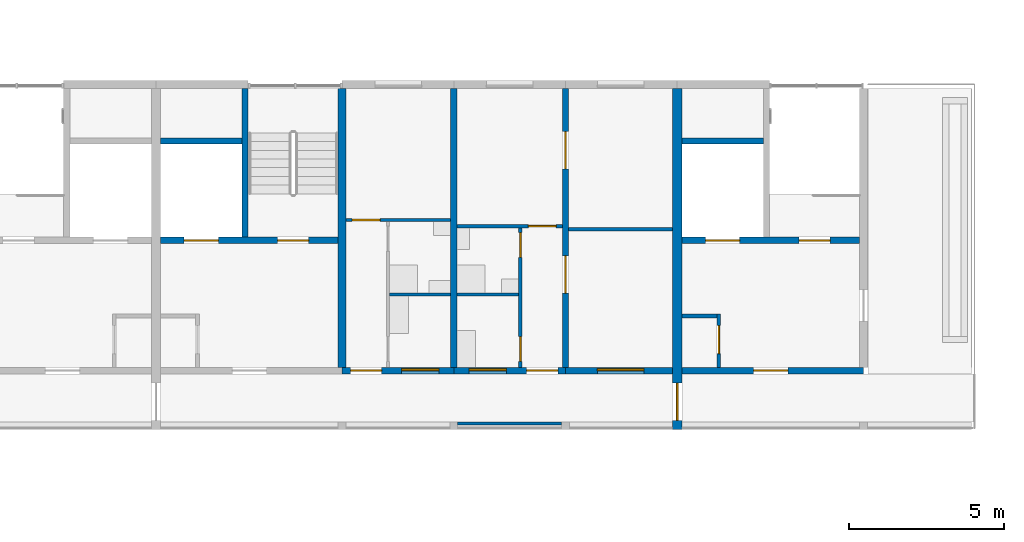
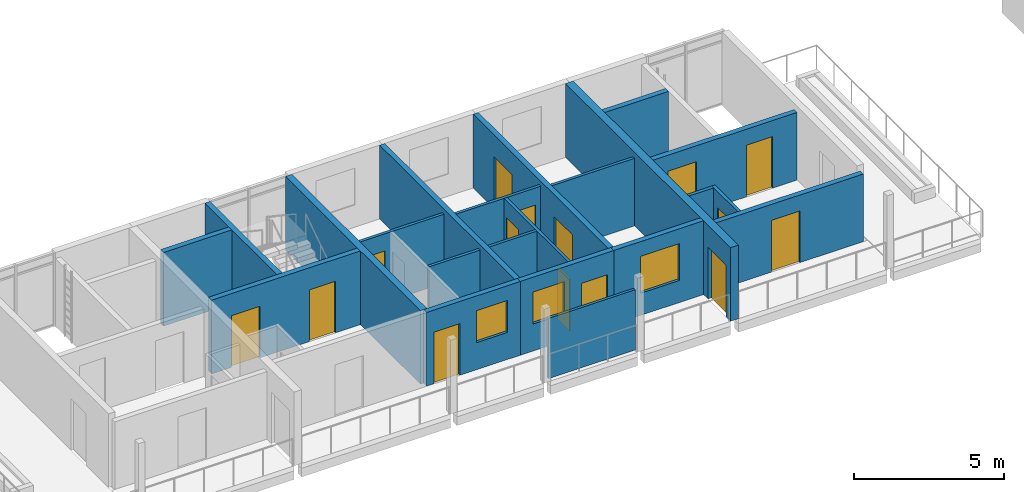
# One storey, part 53 of 87: 22 walls, 15 doors, 3 windows, 18 openings.
"""IFC4 building model written with IfcOpenShell, lengths in metres."""

import ifcopenshell
import ifcopenshell.guid

model = None  # the IFC model being written
_history = None  # IfcOwnerHistory: only IFC2X3 demands one
_inside = {}  # id of a spatial element -> (the spatial element, [elements in it])
_under = {}  # id of a project, library or spatial element -> (it, [spatial elements below it])
_declared = {}  # id of a project -> (the project, [libraries it declares])
_typed = {}  # id of a type object -> (the type object, [elements of that type])
_made_of = {}  # id of a material, layer set ... -> (it, [elements and type objects made of it])


def new_model(schema):
    """Start an empty IFC model of exactly this schema.

    Asked for "IFC4X3", IfcOpenShell would pick the latest addendum, in which some entities
    have other attributes; the version numbers below select the first issue.
    IFC2X3 requires an IfcOwnerHistory on every rooted entity: one is made here for all.
    """
    global model, _history
    if schema == "IFC4X3":
        model = ifcopenshell.file(schema_version=(4, 3, 0, 0))
    else:
        model = ifcopenshell.file(schema=schema)
    _inside.clear()
    _under.clear()
    _declared.clear()
    _typed.clear()
    _made_of.clear()
    _history = None
    if model.schema == "IFC2X3":
        org = make("IfcOrganization", Name="unknown")
        user = make(
            "IfcPersonAndOrganization",
            ThePerson=make("IfcPerson", FamilyName="unknown"),
            TheOrganization=org,
        )
        app = make(
            "IfcApplication",
            ApplicationDeveloper=org,
            Version="unknown",
            ApplicationFullName="unknown",
            ApplicationIdentifier="unknown",
        )
        _history = make(
            "IfcOwnerHistory",
            OwningUser=user,
            OwningApplication=app,
            ChangeAction="ADDED",
            CreationDate=0,
        )
    return model


def make(cls, **values):
    """One entity of the class cls with the attributes given. An attribute that is None is left unset."""
    return model.create_entity(
        cls, **{name: value for name, value in values.items() if value is not None}
    )


def rooted(cls, **values):
    """An entity with a GlobalId (a new one), such as an element, a storey or a relation."""
    return make(cls, GlobalId=ifcopenshell.guid.new(), OwnerHistory=_history, **values)


def si_unit(unit_type, name, prefix=None):
    """IfcSIUnit, for example si_unit("LENGTHUNIT", "METRE", prefix="MILLI")."""
    return make("IfcSIUnit", UnitType=unit_type, Prefix=prefix, Name=name)


def assignment(units):
    """IfcUnitAssignment: the units of a project."""
    return None if units is None else make("IfcUnitAssignment", Units=units)


def point(xyz):
    """IfcCartesianPoint."""
    return None if xyz is None else make("IfcCartesianPoint", Coordinates=xyz)


def direction(xyz):
    """IfcDirection."""
    return None if xyz is None else make("IfcDirection", DirectionRatios=xyz)


def frame(location, z_axis=None, x_axis=None):
    """IfcAxis2Placement3D, a coordinate frame: its origin and axes. An axis left out is left unset."""
    return make(
        "IfcAxis2Placement3D",
        Location=point(location),
        Axis=direction(z_axis),
        RefDirection=direction(x_axis),
    )


def frame_2d(location, x_axis=None):
    """IfcAxis2Placement2D, a coordinate frame in the plane: its origin and x axis."""
    return make(
        "IfcAxis2Placement2D", Location=point(location), RefDirection=direction(x_axis)
    )


def origin():
    """The frame at (0, 0, 0) with its axes left unset."""
    return frame((0.0, 0.0, 0.0))


def place(relative_to, where):
    """IfcLocalPlacement: puts the frame where relative to a parent placement (None: the world)."""
    return make(
        "IfcLocalPlacement", PlacementRelTo=relative_to, RelativePlacement=where
    )


def context(
    kind, dimensions, precision=None, world=None, true_north=None, identifier=None
):
    """IfcGeometricRepresentationContext, for example the 3D "Model" context."""
    return make(
        "IfcGeometricRepresentationContext",
        ContextIdentifier=identifier,
        ContextType=kind,
        CoordinateSpaceDimension=dimensions,
        Precision=precision,
        WorldCoordinateSystem=world,
        TrueNorth=true_north,
    )


def subcontext(parent, identifier, kind, view, scale=None):
    """IfcGeometricRepresentationSubContext, for example "Body" below "Model"."""
    return make(
        "IfcGeometricRepresentationSubContext",
        ContextIdentifier=identifier,
        ContextType=kind,
        ParentContext=parent,
        TargetScale=scale,
        TargetView=view,
    )


def project(units=None, contexts=None):
    """IfcProject with its units and contexts."""
    return rooted(
        "IfcProject",
        Name="project",
        RepresentationContexts=contexts,
        UnitsInContext=assignment(units),
    )


def spatial(cls, under=None, at=None, **own):
    """A site, building, storey or space (cls), placed at a placement, below another one or the project."""
    s = rooted(cls, ObjectPlacement=at, **own)
    if under is not None:
        _under.setdefault(under.id(), (under, []))[1].append(s)
    return s


def profile(cls, at=None, kind="AREA", **sizes):
    """A parametric profile (cls). Its sizes go by their IFC names, for example OverallWidth=200.0."""
    return make(cls, ProfileType=kind, Position=at, **sizes)


def rectangle(**sizes):
    """IfcRectangleProfileDef."""
    return profile("IfcRectangleProfileDef", **sizes)


def extrude(swept, where, along, depth):
    """IfcExtrudedAreaSolid: the profile swept, set in the frame where, extruded along a direction by depth."""
    return make(
        "IfcExtrudedAreaSolid",
        SweptArea=swept,
        Position=where,
        ExtrudedDirection=direction(along),
        Depth=depth,
    )


def shape(context_of_items, identifier, shape_type, items):
    """IfcShapeRepresentation: the items that make up one representation, for example the "Body"."""
    return make(
        "IfcShapeRepresentation",
        ContextOfItems=context_of_items,
        RepresentationIdentifier=identifier,
        RepresentationType=shape_type,
        Items=items,
    )


def material(Name=None, Category=None):
    """IfcMaterial."""
    return make("IfcMaterial", Name=Name, Category=Category)


def layer(
    of_material, thickness, ventilated=None, Name=None, Category=None, Priority=None
):
    """IfcMaterialLayer: one layer of a wall or slab, of a material (None: an air gap)."""
    return make(
        "IfcMaterialLayer",
        Material=of_material,
        LayerThickness=thickness,
        IsVentilated=ventilated,
        Name=Name,
        Category=Category,
        Priority=Priority,
    )


def layer_set(layers, Name=None):
    """IfcMaterialLayerSet."""
    return make("IfcMaterialLayerSet", MaterialLayers=layers, LayerSetName=Name)


def made_of(thing, what):
    """Note that an element or type object is made of a material, layer set ...; save() writes the relation."""
    if what is not None:
        _made_of.setdefault(what.id(), (what, []))[1].append(thing)
    return thing


def type_object(cls, material=None, **own):
    """A type object (cls), such as IfcWallType, which elements share."""
    return made_of(rooted(cls, **own), material)


def element(
    cls,
    number,
    at=None,
    inside=None,
    cuts=None,
    type_object=None,
    material=None,
    context=None,
    identifier="Body",
    shape_type=None,
    held_by="IfcProductDefinitionShape",
    body=None,
    shapes=None,
    **own,
):
    """One element of the class cls, such as IfcWall. Its Tag is "e" and its number.

    at: its placement. inside: the storey or other place that contains it. cuts: it is an
    opening in that element (IfcRelVoidsElement). A single representation is given by context,
    identifier, shape_type and body (its items); several are given by shapes. held_by: the class
    of the entity that holds the representations. save() writes the other relations.
    """
    e = rooted(cls, Tag="e%d" % number, ObjectPlacement=at, **own)
    if body is not None:
        shapes = [shape(context, identifier, shape_type, body)]
    if shapes is not None:
        e.Representation = make(held_by, Representations=shapes)
    if inside is not None:
        _inside.setdefault(inside.id(), (inside, []))[1].append(e)
    if cuts is not None:
        rooted(
            "IfcRelVoidsElement", RelatingBuildingElement=cuts, RelatedOpeningElement=e
        )
    if type_object is not None:
        _typed.setdefault(type_object.id(), (type_object, []))[1].append(e)
    return made_of(e, material)


def fill(opening, filler):
    """IfcRelFillsElement: the door or window that sits in an opening."""
    return rooted(
        "IfcRelFillsElement",
        RelatingOpeningElement=opening,
        RelatedBuildingElement=filler,
    )


def aggregate(whole, parts):
    """IfcRelAggregates: a whole, such as a stair, and the parts it consists of."""
    return rooted("IfcRelAggregates", RelatingObject=whole, RelatedObjects=parts)


def save(model, path):
    """Write the relations noted so far, then the file.

    IfcRelAggregates (storeys below a building ...), IfcRelContainedInSpatialStructure (elements
    in a storey), IfcRelDefinesByType, IfcRelAssociatesMaterial and IfcRelDeclares: one each for
    every whole, place, type object, material and project.
    """
    for whole, parts in _under.values():
        aggregate(whole, parts)
    for where, things in _inside.values():
        rooted(
            "IfcRelContainedInSpatialStructure",
            RelatedElements=things,
            RelatingStructure=where,
        )
    for kind, things in _typed.values():
        rooted("IfcRelDefinesByType", RelatedObjects=things, RelatingType=kind)
    for what, things in _made_of.values():
        rooted("IfcRelAssociatesMaterial", RelatedObjects=things, RelatingMaterial=what)
    for by, libraries in _declared.values():
        rooted("IfcRelDeclares", RelatingContext=by, RelatedDefinitions=libraries)
    model.write(path)


model = new_model("IFC4")

# Units and contexts
model_context = context("Model", 3, precision=1e-05, world=origin(), true_north=direction((0.0, 1.0)))
body_context = subcontext(model_context, "Body", "Model", "MODEL_VIEW")
ifc_project = project(units=[si_unit("LENGTHUNIT", "METRE"), si_unit("AREAUNIT", "SQUARE_METRE"), si_unit("VOLUMEUNIT", "CUBIC_METRE"), si_unit("PLANEANGLEUNIT", "RADIAN"), si_unit("MASSUNIT", "GRAM", prefix="KILO")], contexts=[model_context])

# Site, building, storey
site_placement = place(None, origin())
site = spatial("IfcSite", under=ifc_project, at=site_placement, CompositionType="ELEMENT")
building_placement = place(site_placement, origin())
building = spatial("IfcBuilding", under=site, at=building_placement, Name="Ridgestep Commons", CompositionType="ELEMENT")
storey_placement = place(building_placement, frame((0.0, 0.0, 27.0)))
storey = spatial("IfcBuildingStorey", under=building, at=storey_placement, Name="L09", CompositionType="ELEMENT", Elevation=27.0)

# Wall
ifc_material_1 = material(Name="Concrete C30/37", Category="concrete")
ifc_layer_1 = layer(ifc_material_1, 0.25)
ifc_layer_set_1 = layer_set([ifc_layer_1], Name="Core cross wall 250")
wall_type_1 = type_object("IfcWallType", Name="Core cross wall 250", PredefinedType="SHEAR", material=ifc_layer_set_1)
wall_1_placement = place(storey_placement, frame((186.39990234375, 68.0, 0.0), z_axis=(0.0, 0.0, 1.0), x_axis=(0.0, 1.0, 0.0)))
element("IfcWall", 1, at=wall_1_placement, inside=storey, type_object=wall_type_1, Name="Cross wall C-09-1864", PredefinedType="SHEAR", context=body_context, shape_type="SweptSolid", body=[
    extrude(rectangle(XDim=9.0, YDim=0.25, at=frame_2d((4.5, 0.0))), origin(), (0.0, 0.0, 1.0), 3.0),
])

# Wall, opening, door
ifc_material_2 = material(Name="Concrete C30/37", Category="concrete")
ifc_layer_2 = layer(ifc_material_2, 0.199951171875)
ifc_layer_set_2 = layer_set([ifc_layer_2], Name="Core south wall 200")
wall_type_2 = type_object("IfcWallType", Name="Core south wall 200", PredefinedType="SHEAR", material=ifc_layer_set_2)
wall_2_placement = place(storey_placement, frame((197.35009765625, 67.89990234375, 0.0), z_axis=(0.0, 0.0, 1.0), x_axis=(1.0, 0.0, 0.0)))
wall_2 = element("IfcWall", 2, at=wall_2_placement, inside=storey, type_object=wall_type_2, Name="Core south wall C4C L09", PredefinedType="SHEAR", context=body_context, shape_type="SweptSolid", body=[
    extrude(rectangle(XDim=5.849853515625, YDim=0.199951171875, at=frame_2d((2.9248046875, 0.0))), origin(), (0.0, 0.0, 1.0), 2.75),
])
opening_1_placement = place(wall_2_placement, frame((2.3125, 0.0, 0.0)))
opening_1 = element("IfcOpeningElement", 3, at=opening_1_placement, cuts=wall_2, Name="Opening C4C/09/1", PredefinedType="OPENING", context=body_context, shape_type="SweptSolid", body=[
    extrude(rectangle(XDim=1.10009765625, YDim=2.10009765625, at=frame_2d((0.550048828125, 1.050048828125))), frame((0.0, 0.10986328125, 0.0), z_axis=(0.0, -1.0, 0.0), x_axis=(1.0, 0.0, 0.0)), (0.0, 0.0, 1.0), 0.219970703125),
])
ifc_material_3 = material(Name="Steel fire door", Category="steel")
door_type_1 = type_object("IfcDoorType", Name="Lobby door 1100 x 2100 FD60", OperationType="NOTDEFINED", PredefinedType="DOOR", material=ifc_material_3)
door_1_placement = place(opening_1_placement, origin())
door_1 = element("IfcDoor", 4, at=door_1_placement, inside=storey, type_object=door_type_1, Name="Lobby door C4C/09/1", OperationType="SINGLE_SWING_LEFT", OverallHeight=2.10009765625, OverallWidth=1.10009765625, PredefinedType="DOOR", context=body_context, shape_type="SweptSolid", body=[
    extrude(rectangle(XDim=1.10009765625, YDim=2.10009765625, at=frame_2d((0.550048828125, 1.050048828125))), frame((0.0, 0.02490234375, 0.0), z_axis=(0.0, -1.0, 0.0), x_axis=(1.0, 0.0, 0.0)), (0.0, 0.0, 1.0), 0.050048828125),
])
fill(opening_1, door_1)

ifc_material_4 = material(Name="Concrete C30/37", Category="concrete")
ifc_layer_3 = layer(ifc_material_4, 0.1201171875)
ifc_layer_set_3 = layer_set([ifc_layer_3], Name="Core wall 120")
wall_type_3 = type_object("IfcWallType", Name="Core wall 120", PredefinedType="SHEAR", material=ifc_layer_set_3)
wall_3_placement = place(storey_placement, frame((198.5400390625, 68.0, 0.0), z_axis=(0.0, 0.0, 1.0), x_axis=(0.0, 1.0, 0.0)))
wall_3 = element("IfcWall", 5, at=wall_3_placement, inside=storey, type_object=wall_type_3, Name="Core riser w wall C4C L09", PredefinedType="SHEAR", context=body_context, shape_type="SweptSolid", body=[
    extrude(rectangle(XDim=1.719970703125, YDim=0.1201171875, at=frame_2d((0.85986328125, 0.0))), origin(), (0.0, 0.0, 1.0), 2.75),
])
opening_2_placement = place(wall_3_placement, frame((0.449951171875, 0.0, 0.0)))
opening_2 = element("IfcOpeningElement", 6, at=opening_2_placement, cuts=wall_3, Name="Opening C4C/09/4", PredefinedType="OPENING", context=body_context, shape_type="SweptSolid", body=[
    extrude(rectangle(XDim=0.89990234375, YDim=2.10009765625, at=frame_2d((0.449951171875, 1.050048828125))), frame((0.0, 0.070068359375, 0.0), z_axis=(0.0, -1.0, 0.0), x_axis=(1.0, 0.0, 0.0)), (0.0, 0.0, 1.0), 0.14013671875),
])
ifc_material_5 = material(Name="Steel fire door", Category="steel")
door_type_2 = type_object("IfcDoorType", Name="Riser door 900 x 2100 FD60", OperationType="NOTDEFINED", PredefinedType="DOOR", material=ifc_material_5)
door_2_placement = place(opening_2_placement, origin())
door_2 = element("IfcDoor", 7, at=door_2_placement, inside=storey, type_object=door_type_2, Name="Riser door C4C/09/4", OperationType="SINGLE_SWING_RIGHT", OverallHeight=2.10009765625, OverallWidth=0.89990234375, PredefinedType="DOOR", context=body_context, shape_type="SweptSolid", body=[
    extrude(rectangle(XDim=0.89990234375, YDim=2.10009765625, at=frame_2d((0.449951171875, 1.050048828125))), frame((0.0, 0.02490234375, 0.0), z_axis=(0.0, -1.0, 0.0), x_axis=(1.0, 0.0, 0.0)), (0.0, 0.0, 1.0), 0.050048828125),
])
fill(opening_2, door_2)

# Wall
wall_4_placement = place(storey_placement, frame((197.35009765625, 69.659912109375, 0.0), z_axis=(0.0, 0.0, 1.0), x_axis=(1.0, 0.0, 0.0)))
element("IfcWall", 8, at=wall_4_placement, inside=storey, type_object=wall_type_3, Name="Core riser n wall C4C L09", PredefinedType="SHEAR", context=body_context, shape_type="SweptSolid", body=[
    extrude(rectangle(XDim=1.1298828125, YDim=0.1201171875, at=frame_2d((0.56494140625, 0.0))), origin(), (0.0, 0.0, 1.0), 2.75),
])

# Wall, openings, doors
ifc_material_6 = material(Name="Concrete C30/37", Category="concrete")
ifc_layer_4 = layer(ifc_material_6, 0.199951171875)
ifc_layer_set_4 = layer_set([ifc_layer_4], Name="Core wall 200")
wall_type_4 = type_object("IfcWallType", Name="Core wall 200", PredefinedType="SHEAR", material=ifc_layer_set_4)
wall_5_placement = place(storey_placement, frame((180.550048828125, 72.10009765625, 0.0), z_axis=(0.0, 0.0, 1.0), x_axis=(1.0, 0.0, 0.0)))
wall_5 = element("IfcWall", 9, at=wall_5_placement, inside=storey, type_object=wall_type_4, Name="Core lobby wall C3C L09", PredefinedType="SHEAR", context=body_context, shape_type="SweptSolid", body=[
    extrude(rectangle(XDim=5.724853515625, YDim=0.199951171875, at=frame_2d((2.8623046875, 0.0))), origin(), (0.0, 0.0, 1.0), 3.0),
])
opening_3_placement = place(wall_5_placement, frame((3.77490234375, 0.0, 0.0)))
opening_3 = element("IfcOpeningElement", 10, at=opening_3_placement, cuts=wall_5, Name="Opening C3C/09/2", PredefinedType="OPENING", context=body_context, shape_type="SweptSolid", body=[
    extrude(rectangle(XDim=1.0, YDim=2.10009765625, at=frame_2d((0.5, 1.050048828125))), frame((0.0, 0.10986328125, 0.0), z_axis=(0.0, -1.0, 0.0), x_axis=(1.0, 0.0, 0.0)), (0.0, 0.0, 1.0), 0.219970703125),
])
opening_4_placement = place(wall_5_placement, frame((0.762451171875, 0.0, 0.0)))
opening_4 = element("IfcOpeningElement", 11, at=opening_4_placement, cuts=wall_5, Name="Opening C3C/09/3", PredefinedType="OPENING", context=body_context, shape_type="SweptSolid", body=[
    extrude(rectangle(XDim=1.10009765625, YDim=2.10009765625, at=frame_2d((0.550048828125, 1.050048828125))), frame((0.0, 0.10986328125, 0.0), z_axis=(0.0, -1.0, 0.0), x_axis=(1.0, 0.0, 0.0)), (0.0, 0.0, 1.0), 0.219970703125),
])
ifc_material_7 = material(Name="Stainless steel", Category="steel")
door_type_3 = type_object("IfcDoorType", Name="Lift landing door 1100 x 2100 FD60", OperationType="DOUBLE_DOOR_SLIDING", PredefinedType="DOOR", material=ifc_material_7)
door_3_placement = place(opening_4_placement, origin())
door_3 = element("IfcDoor", 12, at=door_3_placement, inside=storey, type_object=door_type_3, Name="Landing door LD C3C L09", OperationType="DOUBLE_DOOR_SLIDING", OverallHeight=2.10009765625, OverallWidth=1.10009765625, PredefinedType="DOOR", context=body_context, shape_type="SweptSolid", body=[
    extrude(rectangle(XDim=1.10009765625, YDim=2.10009765625, at=frame_2d((0.550048828125, 1.050048828125))), frame((0.0, 0.02490234375, 0.0), z_axis=(0.0, -1.0, 0.0), x_axis=(1.0, 0.0, 0.0)), (0.0, 0.0, 1.0), 0.050048828125),
])
fill(opening_4, door_3)
ifc_material_8 = material(Name="Steel fire door", Category="steel")
door_type_4 = type_object("IfcDoorType", Name="Stair door 1000 x 2100 FD60", OperationType="NOTDEFINED", PredefinedType="DOOR", material=ifc_material_8)
door_4_placement = place(opening_3_placement, origin())
door_4 = element("IfcDoor", 13, at=door_4_placement, inside=storey, type_object=door_type_4, Name="Stair door C3C/09/2", OperationType="SINGLE_SWING_RIGHT", OverallHeight=2.10009765625, OverallWidth=1.0, PredefinedType="DOOR", context=body_context, shape_type="SweptSolid", body=[
    extrude(rectangle(XDim=1.0, YDim=2.10009765625, at=frame_2d((0.5, 1.050048828125))), frame((0.0, 0.02490234375, 0.0), z_axis=(0.0, -1.0, 0.0), x_axis=(1.0, 0.0, 0.0)), (0.0, 0.0, 1.0), 0.050048828125),
])
fill(opening_3, door_4)

# Walls
wall_6_placement = place(storey_placement, frame((183.27490234375, 72.199951171875, 0.0), z_axis=(0.0, 0.0, 1.0), x_axis=(0.0, 1.0, 0.0)))
element("IfcWall", 14, at=wall_6_placement, inside=storey, type_object=wall_type_4, Name="Core stair wall C3C L09", PredefinedType="SHEAR", context=body_context, shape_type="SweptSolid", body=[
    extrude(rectangle(XDim=4.800048828125, YDim=0.199951171875, at=frame_2d((2.39990234375, 0.0))), origin(), (0.0, 0.0, 1.0), 3.0),
])
wall_7_placement = place(storey_placement, frame((180.550048828125, 75.300048828125, 0.0), z_axis=(0.0, 0.0, 1.0), x_axis=(1.0, 0.0, 0.0)))
element("IfcWall", 15, at=wall_7_placement, inside=storey, type_object=wall_type_4, Name="Core duct wall C3C L09", PredefinedType="SHEAR", context=body_context, shape_type="SweptSolid", body=[
    extrude(rectangle(XDim=2.625, YDim=0.199951171875, at=frame_2d((1.3125, 0.0))), origin(), (0.0, 0.0, 1.0), 3.0),
])

# Wall, openings, doors
wall_8_placement = place(storey_placement, frame((197.35009765625, 72.10009765625, 0.0), z_axis=(0.0, 0.0, 1.0), x_axis=(1.0, 0.0, 0.0)))
wall_8 = element("IfcWall", 16, at=wall_8_placement, inside=storey, type_object=wall_type_4, Name="Core lobby wall C4C L09", PredefinedType="SHEAR", context=body_context, shape_type="SweptSolid", body=[
    extrude(rectangle(XDim=5.724853515625, YDim=0.199951171875, at=frame_2d((2.8623046875, 0.0))), origin(), (0.0, 0.0, 1.0), 2.75),
])
opening_5_placement = place(wall_8_placement, frame((3.77490234375, 0.0, 0.0)))
opening_5 = element("IfcOpeningElement", 17, at=opening_5_placement, cuts=wall_8, Name="Opening C4C/09/2", PredefinedType="OPENING", context=body_context, shape_type="SweptSolid", body=[
    extrude(rectangle(XDim=1.0, YDim=2.10009765625, at=frame_2d((0.5, 1.050048828125))), frame((0.0, 0.10986328125, 0.0), z_axis=(0.0, -1.0, 0.0), x_axis=(1.0, 0.0, 0.0)), (0.0, 0.0, 1.0), 0.219970703125),
])
opening_6_placement = place(wall_8_placement, frame((0.762451171875, 0.0, 0.0)))
opening_6 = element("IfcOpeningElement", 18, at=opening_6_placement, cuts=wall_8, Name="Opening C4C/09/3", PredefinedType="OPENING", context=body_context, shape_type="SweptSolid", body=[
    extrude(rectangle(XDim=1.10009765625, YDim=2.10009765625, at=frame_2d((0.550048828125, 1.050048828125))), frame((0.0, 0.10986328125, 0.0), z_axis=(0.0, -1.0, 0.0), x_axis=(1.0, 0.0, 0.0)), (0.0, 0.0, 1.0), 0.219970703125),
])
door_5_placement = place(opening_6_placement, origin())
door_5 = element("IfcDoor", 19, at=door_5_placement, inside=storey, type_object=door_type_3, Name="Landing door LD C4C L09", OperationType="DOUBLE_DOOR_SLIDING", OverallHeight=2.10009765625, OverallWidth=1.10009765625, PredefinedType="DOOR", context=body_context, shape_type="SweptSolid", body=[
    extrude(rectangle(XDim=1.10009765625, YDim=2.10009765625, at=frame_2d((0.550048828125, 1.050048828125))), frame((0.0, 0.02490234375, 0.0), z_axis=(0.0, -1.0, 0.0), x_axis=(1.0, 0.0, 0.0)), (0.0, 0.0, 1.0), 0.050048828125),
])
fill(opening_6, door_5)
door_6_placement = place(opening_5_placement, origin())
door_6 = element("IfcDoor", 20, at=door_6_placement, inside=storey, type_object=door_type_4, Name="Stair door C4C/09/2", OperationType="SINGLE_SWING_RIGHT", OverallHeight=2.10009765625, OverallWidth=1.0, PredefinedType="DOOR", context=body_context, shape_type="SweptSolid", body=[
    extrude(rectangle(XDim=1.0, YDim=2.10009765625, at=frame_2d((0.5, 1.050048828125))), frame((0.0, 0.02490234375, 0.0), z_axis=(0.0, -1.0, 0.0), x_axis=(1.0, 0.0, 0.0)), (0.0, 0.0, 1.0), 0.050048828125),
])
fill(opening_5, door_6)

# Walls
wall_9_placement = place(storey_placement, frame((197.35009765625, 75.300048828125, 0.0), z_axis=(0.0, 0.0, 1.0), x_axis=(1.0, 0.0, 0.0)))
element("IfcWall", 21, at=wall_9_placement, inside=storey, type_object=wall_type_4, Name="Core duct wall C4C L09", PredefinedType="SHEAR", context=body_context, shape_type="SweptSolid", body=[
    extrude(rectangle(XDim=2.625, YDim=0.199951171875, at=frame_2d((1.3125, 0.0))), origin(), (0.0, 0.0, 1.0), 2.75),
])
ifc_material_9 = material(Name="Precast concrete C40/50", Category="concrete")
ifc_layer_5 = layer(ifc_material_9, 0.199951171875)
ifc_layer_set_5 = layer_set([ifc_layer_5], Name="Cross wall 200")
wall_type_5 = type_object("IfcWallType", Name="Cross wall 200", PredefinedType="SHEAR", material=ifc_layer_set_5)
wall_10_placement = place(storey_placement, frame((190.0, 68.0, 0.0), z_axis=(0.0, 0.0, 1.0), x_axis=(0.0, 1.0, 0.0)))
element("IfcWall", 22, at=wall_10_placement, inside=storey, type_object=wall_type_5, Name="Cross wall C-09-1900", PredefinedType="SHEAR", context=body_context, shape_type="SweptSolid", body=[
    extrude(rectangle(XDim=9.0, YDim=0.199951171875, at=frame_2d((4.5, 0.0))), origin(), (0.0, 0.0, 1.0), 3.0),
])

# Wall, openings, doors
wall_11_placement = place(storey_placement, frame((193.60009765625, 68.0, 0.0), z_axis=(0.0, 0.0, 1.0), x_axis=(0.0, 1.0, 0.0)))
wall_11 = element("IfcWall", 23, at=wall_11_placement, inside=storey, type_object=wall_type_5, Name="Cross wall C-09-1936", PredefinedType="SHEAR", context=body_context, shape_type="SweptSolid", body=[
    extrude(rectangle(XDim=9.0, YDim=0.199951171875, at=frame_2d((4.5, 0.0))), origin(), (0.0, 0.0, 1.0), 3.0),
])
opening_7_placement = place(wall_11_placement, frame((2.39990234375, 0.0, 0.0)))
opening_7 = element("IfcOpeningElement", 24, at=opening_7_placement, cuts=wall_11, Name="Opening C3-09a/5", PredefinedType="OPENING", context=body_context, shape_type="SweptSolid", body=[
    extrude(rectangle(XDim=1.199951171875, YDim=2.10009765625, at=frame_2d((0.60009765625, 1.050048828125))), frame((0.0, 0.10986328125, 0.0), z_axis=(0.0, -1.0, 0.0), x_axis=(1.0, 0.0, 0.0)), (0.0, 0.0, 1.0), 0.219970703125),
])
opening_8_placement = place(wall_11_placement, frame((6.39990234375, 0.0, 0.0)))
opening_8 = element("IfcOpeningElement", 25, at=opening_8_placement, cuts=wall_11, Name="Opening C3-09a/6", PredefinedType="OPENING", context=body_context, shape_type="SweptSolid", body=[
    extrude(rectangle(XDim=1.199951171875, YDim=2.10009765625, at=frame_2d((0.60009765625, 1.050048828125))), frame((0.0, 0.10986328125, 0.0), z_axis=(0.0, -1.0, 0.0), x_axis=(1.0, 0.0, 0.0)), (0.0, 0.0, 1.0), 0.219970703125),
])
ifc_material_10 = material(Name="Timber door leaf", Category="wood")
door_type_5 = type_object("IfcDoorType", Name="Double door 1200 x 2100", OperationType="DOUBLE_DOOR_SINGLE_SWING", PredefinedType="DOOR", material=ifc_material_10)
door_7_placement = place(opening_7_placement, origin())
door_7 = element("IfcDoor", 26, at=door_7_placement, inside=storey, type_object=door_type_5, Name="Double door C3-09a/5", OperationType="DOUBLE_DOOR_SINGLE_SWING", OverallHeight=2.10009765625, OverallWidth=1.199951171875, PredefinedType="DOOR", context=body_context, shape_type="SweptSolid", body=[
    extrude(rectangle(XDim=1.199951171875, YDim=2.10009765625, at=frame_2d((0.60009765625, 1.050048828125))), frame((0.0, 0.02490234375, 0.0), z_axis=(0.0, -1.0, 0.0), x_axis=(1.0, 0.0, 0.0)), (0.0, 0.0, 1.0), 0.050048828125),
])
fill(opening_7, door_7)
door_8_placement = place(opening_8_placement, origin())
door_8 = element("IfcDoor", 27, at=door_8_placement, inside=storey, type_object=door_type_5, Name="Double door C3-09a/6", OperationType="DOUBLE_DOOR_SINGLE_SWING", OverallHeight=2.10009765625, OverallWidth=1.199951171875, PredefinedType="DOOR", context=body_context, shape_type="SweptSolid", body=[
    extrude(rectangle(XDim=1.199951171875, YDim=2.10009765625, at=frame_2d((0.60009765625, 1.050048828125))), frame((0.0, 0.02490234375, 0.0), z_axis=(0.0, -1.0, 0.0), x_axis=(1.0, 0.0, 0.0)), (0.0, 0.0, 1.0), 0.050048828125),
])
fill(opening_8, door_8)

# Wall, opening, door
ifc_material_11 = material(Name="Precast concrete C40/50", Category="concrete")
ifc_layer_6 = layer(ifc_material_11, 0.300048828125)
ifc_layer_set_6 = layer_set([ifc_layer_6], Name="Division wall 300")
wall_type_6 = type_object("IfcWallType", Name="Division wall 300", PredefinedType="SHEAR", material=ifc_layer_set_6)
wall_12_placement = place(storey_placement, frame((197.199951171875, 66.0, 0.0), z_axis=(0.0, 0.0, 1.0), x_axis=(0.0, 1.0, 0.0)))
wall_12 = element("IfcWall", 28, at=wall_12_placement, inside=storey, type_object=wall_type_6, Name="Cross wall C-09-1972", PredefinedType="SHEAR", context=body_context, shape_type="SweptSolid", body=[
    extrude(rectangle(XDim=11.0, YDim=0.300048828125, at=frame_2d((5.5, 0.0))), origin(), (0.0, 0.0, 1.0), 3.0),
])
opening_9_placement = place(wall_12_placement, frame((0.300048828125, 0.0, 0.0)))
opening_9 = element("IfcOpeningElement", 29, at=opening_9_placement, cuts=wall_12, Name="Opening C/09/G1972", PredefinedType="OPENING", context=body_context, shape_type="SweptSolid", body=[
    extrude(rectangle(XDim=1.199951171875, YDim=2.10009765625, at=frame_2d((0.60009765625, 1.050048828125))), frame((0.0, 0.159912109375, 0.0), z_axis=(0.0, -1.0, 0.0), x_axis=(1.0, 0.0, 0.0)), (0.0, 0.0, 1.0), 0.320068359375),
])
ifc_material_12 = material(Name="Steel fire door", Category="steel")
door_type_6 = type_object("IfcDoorType", Name="Division fire door 1200 x 2100 EI 240", OperationType="DOUBLE_DOOR_SINGLE_SWING", PredefinedType="DOOR", material=ifc_material_12)
door_9_placement = place(opening_9_placement, origin())
door_9 = element("IfcDoor", 30, at=door_9_placement, inside=storey, type_object=door_type_6, Name="Division fire door C/09/G1972", OperationType="DOUBLE_DOOR_SINGLE_SWING", OverallHeight=2.10009765625, OverallWidth=1.199951171875, PredefinedType="DOOR", context=body_context, shape_type="SweptSolid", body=[
    extrude(rectangle(XDim=1.199951171875, YDim=2.10009765625, at=frame_2d((0.60009765625, 1.050048828125))), frame((0.0, 0.02490234375, 0.0), z_axis=(0.0, -1.0, 0.0), x_axis=(1.0, 0.0, 0.0)), (0.0, 0.0, 1.0), 0.050048828125),
])
fill(opening_9, door_9)

# Wall
ifc_material_13 = material(Name="Common brick 110 mm", Category="masonry")
ifc_layer_7 = layer(ifc_material_13, 0.110107421875)
ifc_layer_set_7 = layer_set([ifc_layer_7], Name="Partition 110")
wall_type_7 = type_object("IfcWallType", Name="Partition 110", PredefinedType="PARTITIONING", material=ifc_layer_set_7)
wall_13_placement = place(storey_placement, frame((190.10009765625, 70.35498046875, 0.0), z_axis=(0.0, 0.0, 1.0), x_axis=(1.0, 0.0, 0.0)))
element("IfcWall", 31, at=wall_13_placement, inside=storey, type_object=wall_type_7, Name="Partition C3-09a", PredefinedType="PARTITIONING", context=body_context, shape_type="SweptSolid", body=[
    extrude(rectangle(XDim=1.989990234375, YDim=0.110107421875, at=frame_2d((0.9951171875, 0.0))), origin(), (0.0, 0.0, 1.0), 2.800048828125),
])

# Wall, openings, doors
wall_14_placement = place(storey_placement, frame((192.14501953125, 68.0, 0.0), z_axis=(0.0, 0.0, 1.0), x_axis=(0.0, 1.0, 0.0)))
wall_14 = element("IfcWall", 32, at=wall_14_placement, inside=storey, type_object=wall_type_7, Name="Partition C3-09a", PredefinedType="PARTITIONING", context=body_context, shape_type="SweptSolid", body=[
    extrude(rectangle(XDim=4.5, YDim=0.110107421875, at=frame_2d((2.25, 0.0))), origin(), (0.0, 0.0, 1.0), 2.800048828125),
])
opening_10_placement = place(wall_14_placement, frame((0.199951171875, 0.0, 0.0)))
opening_10 = element("IfcOpeningElement", 33, at=opening_10_placement, cuts=wall_14, Name="Opening C3-09a/2", PredefinedType="OPENING", context=body_context, shape_type="SweptSolid", body=[
    extrude(rectangle(XDim=0.800048828125, YDim=2.10009765625, at=frame_2d((0.39990234375, 1.050048828125))), frame((0.0, 0.06494140625, 0.0), z_axis=(0.0, -1.0, 0.0), x_axis=(1.0, 0.0, 0.0)), (0.0, 0.0, 1.0), 0.130126953125),
])
opening_11_placement = place(wall_14_placement, frame((3.550048828125, 0.0, 0.0)))
opening_11 = element("IfcOpeningElement", 34, at=opening_11_placement, cuts=wall_14, Name="Opening C3-09a/3", PredefinedType="OPENING", context=body_context, shape_type="SweptSolid", body=[
    extrude(rectangle(XDim=0.800048828125, YDim=2.10009765625, at=frame_2d((0.39990234375, 1.050048828125))), frame((0.0, 0.06494140625, 0.0), z_axis=(0.0, -1.0, 0.0), x_axis=(1.0, 0.0, 0.0)), (0.0, 0.0, 1.0), 0.130126953125),
])
ifc_material_14 = material(Name="Timber door leaf", Category="wood")
door_type_7 = type_object("IfcDoorType", Name="Internal door 800 x 2100", OperationType="NOTDEFINED", PredefinedType="DOOR", material=ifc_material_14)
door_10_placement = place(opening_10_placement, origin())
door_10 = element("IfcDoor", 35, at=door_10_placement, inside=storey, type_object=door_type_7, Name="Internal door C3-09a/2", OperationType="SINGLE_SWING_LEFT", OverallHeight=2.10009765625, OverallWidth=0.800048828125, PredefinedType="DOOR", context=body_context, shape_type="SweptSolid", body=[
    extrude(rectangle(XDim=0.800048828125, YDim=2.10009765625, at=frame_2d((0.39990234375, 1.050048828125))), frame((0.0, 0.02490234375, 0.0), z_axis=(0.0, -1.0, 0.0), x_axis=(1.0, 0.0, 0.0)), (0.0, 0.0, 1.0), 0.050048828125),
])
fill(opening_10, door_10)
door_11_placement = place(opening_11_placement, origin())
door_11 = element("IfcDoor", 36, at=door_11_placement, inside=storey, type_object=door_type_7, Name="Internal door C3-09a/3", OperationType="SINGLE_SWING_RIGHT", OverallHeight=2.10009765625, OverallWidth=0.800048828125, PredefinedType="DOOR", context=body_context, shape_type="SweptSolid", body=[
    extrude(rectangle(XDim=0.800048828125, YDim=2.10009765625, at=frame_2d((0.39990234375, 1.050048828125))), frame((0.0, 0.02490234375, 0.0), z_axis=(0.0, -1.0, 0.0), x_axis=(1.0, 0.0, 0.0)), (0.0, 0.0, 1.0), 0.050048828125),
])
fill(opening_11, door_11)

# Wall, opening, door
wall_15_placement = place(storey_placement, frame((190.10009765625, 72.554931640625, 0.0), z_axis=(0.0, 0.0, 1.0), x_axis=(1.0, 0.0, 0.0)))
wall_15 = element("IfcWall", 37, at=wall_15_placement, inside=storey, type_object=wall_type_7, Name="Partition C3-09a", PredefinedType="PARTITIONING", context=body_context, shape_type="SweptSolid", body=[
    extrude(rectangle(XDim=3.39990234375, YDim=0.110107421875, at=frame_2d((1.699951171875, 0.0))), origin(), (0.0, 0.0, 1.0), 2.800048828125),
])
opening_12_placement = place(wall_15_placement, frame((2.300048828125, 0.0, 0.0)))
opening_12 = element("IfcOpeningElement", 38, at=opening_12_placement, cuts=wall_15, Name="Opening C3-09a/4", PredefinedType="OPENING", context=body_context, shape_type="SweptSolid", body=[
    extrude(rectangle(XDim=0.89990234375, YDim=2.10009765625, at=frame_2d((0.449951171875, 1.050048828125))), frame((0.0, 0.06494140625, 0.0), z_axis=(0.0, -1.0, 0.0), x_axis=(1.0, 0.0, 0.0)), (0.0, 0.0, 1.0), 0.130126953125),
])
ifc_material_15 = material(Name="Timber door leaf", Category="wood")
door_type_8 = type_object("IfcDoorType", Name="Internal door 900 x 2100", OperationType="NOTDEFINED", PredefinedType="DOOR", material=ifc_material_15)
door_12_placement = place(opening_12_placement, origin())
door_12 = element("IfcDoor", 39, at=door_12_placement, inside=storey, type_object=door_type_8, Name="Internal door C3-09a/4", OperationType="SINGLE_SWING_LEFT", OverallHeight=2.10009765625, OverallWidth=0.89990234375, PredefinedType="DOOR", context=body_context, shape_type="SweptSolid", body=[
    extrude(rectangle(XDim=0.89990234375, YDim=2.10009765625, at=frame_2d((0.449951171875, 1.050048828125))), frame((0.0, 0.02490234375, 0.0), z_axis=(0.0, -1.0, 0.0), x_axis=(1.0, 0.0, 0.0)), (0.0, 0.0, 1.0), 0.050048828125),
])
fill(opening_12, door_12)

# Walls
wall_16_placement = place(storey_placement, frame((193.699951171875, 72.455078125, 0.0), z_axis=(0.0, 0.0, 1.0), x_axis=(1.0, 0.0, 0.0)))
element("IfcWall", 40, at=wall_16_placement, inside=storey, type_object=wall_type_7, Name="Partition C3-09a", PredefinedType="PARTITIONING", context=body_context, shape_type="SweptSolid", body=[
    extrude(rectangle(XDim=3.35009765625, YDim=0.110107421875, at=frame_2d((1.675048828125, 0.0))), origin(), (0.0, 0.0, 1.0), 2.75),
])
wall_17_placement = place(storey_placement, frame((187.93505859375, 70.35498046875, 0.0), z_axis=(0.0, 0.0, 1.0), x_axis=(1.0, 0.0, 0.0)))
element("IfcWall", 41, at=wall_17_placement, inside=storey, type_object=wall_type_7, Name="Partition C3-09b", PredefinedType="PARTITIONING", context=body_context, shape_type="SweptSolid", body=[
    extrude(rectangle(XDim=1.96484375, YDim=0.110107421875, at=frame_2d((0.982421875, 0.0))), origin(), (0.0, 0.0, 1.0), 2.800048828125),
])

# Wall, opening, door
wall_18_placement = place(storey_placement, frame((186.52490234375, 72.7548828125, 0.0), z_axis=(0.0, 0.0, 1.0), x_axis=(1.0, 0.0, 0.0)))
wall_18 = element("IfcWall", 42, at=wall_18_placement, inside=storey, type_object=wall_type_7, Name="Partition C3-09b", PredefinedType="PARTITIONING", context=body_context, shape_type="SweptSolid", body=[
    extrude(rectangle(XDim=3.375, YDim=0.110107421875, at=frame_2d((1.6875, 0.0))), origin(), (0.0, 0.0, 1.0), 2.800048828125),
])
opening_13_placement = place(wall_18_placement, frame((0.199951171875, 0.0, 0.0)))
opening_13 = element("IfcOpeningElement", 43, at=opening_13_placement, cuts=wall_18, Name="Opening C3-09b/4", PredefinedType="OPENING", context=body_context, shape_type="SweptSolid", body=[
    extrude(rectangle(XDim=0.89990234375, YDim=2.10009765625, at=frame_2d((0.449951171875, 1.050048828125))), frame((0.0, 0.06494140625, 0.0), z_axis=(0.0, -1.0, 0.0), x_axis=(1.0, 0.0, 0.0)), (0.0, 0.0, 1.0), 0.130126953125),
])
door_13_placement = place(opening_13_placement, origin())
door_13 = element("IfcDoor", 44, at=door_13_placement, inside=storey, type_object=door_type_8, Name="Internal door C3-09b/4", OperationType="SINGLE_SWING_LEFT", OverallHeight=2.10009765625, OverallWidth=0.89990234375, PredefinedType="DOOR", context=body_context, shape_type="SweptSolid", body=[
    extrude(rectangle(XDim=0.89990234375, YDim=2.10009765625, at=frame_2d((0.449951171875, 1.050048828125))), frame((0.0, 0.02490234375, 0.0), z_axis=(0.0, -1.0, 0.0), x_axis=(1.0, 0.0, 0.0)), (0.0, 0.0, 1.0), 0.050048828125),
])
fill(opening_13, door_13)

# Wall
ifc_material_16 = material(Name="Precast concrete C30/37", Category="concrete")
ifc_layer_8 = layer(ifc_material_16, 0.10009765625)
ifc_layer_set_8 = layer_set([ifc_layer_8], Name="Perforated gallery screen 3350 x 2450 x 100")
wall_type_8 = type_object("IfcWallType", Name="Perforated gallery screen 3350 x 2450 x 100", PredefinedType="SOLIDWALL", material=ifc_layer_set_8)
wall_19_placement = place(storey_placement, frame((190.125, 66.199951171875, 0.0), z_axis=(0.0, 0.0, 1.0), x_axis=(1.0, 0.0, 0.0)))
element("IfcWall", 45, at=wall_19_placement, inside=storey, type_object=wall_type_8, Name="Gallery screen C3T2 09", PredefinedType="SOLIDWALL", context=body_context, shape_type="SweptSolid", body=[
    extrude(rectangle(XDim=3.35009765625, YDim=0.10009765625, at=frame_2d((1.675048828125, 0.0))), origin(), (0.0, 0.0, 1.0), 2.449951171875),
])

# Wall, openings, door, window
ifc_material_17 = material(Name="Precast concrete C40/50", Category="concrete")
ifc_layer_9 = layer(ifc_material_17, 0.199951171875)
ifc_layer_set_9 = layer_set([ifc_layer_9], Name="South facade panel 200")
wall_type_9 = type_object("IfcWallType", Name="South facade panel 200", PredefinedType="SOLIDWALL", material=ifc_layer_set_9)
wall_20_placement = place(storey_placement, frame((186.39990234375, 67.89990234375, 0.0), z_axis=(0.0, 0.0, 1.0), x_axis=(1.0, 0.0, 0.0)))
wall_20 = element("IfcWall", 46, at=wall_20_placement, inside=storey, type_object=wall_type_9, Name="South panel C3T3 L09", PredefinedType="SOLIDWALL", context=body_context, shape_type="SweptSolid", body=[
    extrude(rectangle(XDim=3.60009765625, YDim=0.199951171875, at=frame_2d((1.800048828125, 0.0))), origin(), (0.0, 0.0, 1.0), 3.0),
])
opening_14_placement = place(wall_20_placement, frame((1.91748046875, 0.0, 1.10009765625)))
opening_14 = element("IfcOpeningElement", 47, at=opening_14_placement, cuts=wall_20, Name="Opening W08", PredefinedType="OPENING", context=body_context, shape_type="SweptSolid", body=[
    extrude(rectangle(XDim=1.199951171875, YDim=1.300048828125, at=frame_2d((0.60009765625, 0.64990234375))), frame((0.0, 0.10986328125, 0.0), z_axis=(0.0, -1.0, 0.0), x_axis=(1.0, 0.0, 0.0)), (0.0, 0.0, 1.0), 0.219970703125),
])
opening_15_placement = place(wall_20_placement, frame((0.27490234375, 0.0, 0.0)))
opening_15 = element("IfcOpeningElement", 48, at=opening_15_placement, cuts=wall_20, Name="Opening C3-09b/1", PredefinedType="OPENING", context=body_context, shape_type="SweptSolid", body=[
    extrude(rectangle(XDim=1.0, YDim=2.10009765625, at=frame_2d((0.5, 1.050048828125))), frame((0.0, 0.10986328125, 0.0), z_axis=(0.0, -1.0, 0.0), x_axis=(1.0, 0.0, 0.0)), (0.0, 0.0, 1.0), 0.219970703125),
])
ifc_material_18 = material(Name="Timber door leaf", Category="wood")
door_type_9 = type_object("IfcDoorType", Name="Flat entrance door 1000 x 2100 FD30S", OperationType="NOTDEFINED", PredefinedType="DOOR", material=ifc_material_18)
door_14_placement = place(opening_15_placement, origin())
door_14 = element("IfcDoor", 49, at=door_14_placement, inside=storey, type_object=door_type_9, Name="Flat entrance door C3-09b/1", OperationType="SINGLE_SWING_LEFT", OverallHeight=2.10009765625, OverallWidth=1.0, PredefinedType="DOOR", context=body_context, shape_type="SweptSolid", body=[
    extrude(rectangle(XDim=1.0, YDim=2.10009765625, at=frame_2d((0.5, 1.050048828125))), frame((0.0, 0.02490234375, 0.0), z_axis=(0.0, -1.0, 0.0), x_axis=(1.0, 0.0, 0.0)), (0.0, 0.0, 1.0), 0.050048828125),
])
fill(opening_15, door_14)
ifc_material_19 = material(Name="Aluminium 6063-T6 and glass", Category="aluminium")
window_type_1 = type_object("IfcWindowType", Name="Flat window 1200 x 1300", PartitioningType="SINGLE_PANEL", PredefinedType="WINDOW", material=ifc_material_19)
window_1_placement = place(opening_14_placement, origin())
window_1 = element("IfcWindow", 50, at=window_1_placement, inside=storey, type_object=window_type_1, Name="Window C3-09b 1", OverallHeight=1.300048828125, OverallWidth=1.199951171875, PartitioningType="SINGLE_PANEL", PredefinedType="WINDOW", context=body_context, shape_type="SweptSolid", body=[
    extrude(rectangle(XDim=1.199951171875, YDim=1.300048828125, at=frame_2d((0.60009765625, 0.64990234375))), frame((0.0, 0.06005859375, 0.0), z_axis=(0.0, -1.0, 0.0), x_axis=(1.0, 0.0, 0.0)), (0.0, 0.0, 1.0), 0.06005859375),
])
fill(opening_14, window_1)

wall_21_placement = place(storey_placement, frame((190.0, 67.89990234375, 0.0), z_axis=(0.0, 0.0, 1.0), x_axis=(1.0, 0.0, 0.0)))
wall_21 = element("IfcWall", 51, at=wall_21_placement, inside=storey, type_object=wall_type_9, Name="South panel C3T2 L09", PredefinedType="SOLIDWALL", context=body_context, shape_type="SweptSolid", body=[
    extrude(rectangle(XDim=3.60009765625, YDim=0.199951171875, at=frame_2d((1.800048828125, 0.0))), origin(), (0.0, 0.0, 1.0), 3.0),
])
opening_16_placement = place(wall_21_placement, frame((0.4951171875, 0.0, 1.10009765625)))
opening_16 = element("IfcOpeningElement", 52, at=opening_16_placement, cuts=wall_21, Name="Opening W08", PredefinedType="OPENING", context=body_context, shape_type="SweptSolid", body=[
    extrude(rectangle(XDim=1.199951171875, YDim=1.300048828125, at=frame_2d((0.60009765625, 0.64990234375))), frame((0.0, 0.10986328125, 0.0), z_axis=(0.0, -1.0, 0.0), x_axis=(1.0, 0.0, 0.0)), (0.0, 0.0, 1.0), 0.219970703125),
])
opening_17_placement = place(wall_21_placement, frame((2.35009765625, 0.0, 0.0)))
opening_17 = element("IfcOpeningElement", 53, at=opening_17_placement, cuts=wall_21, Name="Opening C3-09a/1", PredefinedType="OPENING", context=body_context, shape_type="SweptSolid", body=[
    extrude(rectangle(XDim=1.0, YDim=2.10009765625, at=frame_2d((0.5, 1.050048828125))), frame((0.0, 0.10986328125, 0.0), z_axis=(0.0, -1.0, 0.0), x_axis=(1.0, 0.0, 0.0)), (0.0, 0.0, 1.0), 0.219970703125),
])
door_15_placement = place(opening_17_placement, origin())
door_15 = element("IfcDoor", 54, at=door_15_placement, inside=storey, type_object=door_type_9, Name="Flat entrance door C3-09a/1", OperationType="SINGLE_SWING_RIGHT", OverallHeight=2.10009765625, OverallWidth=1.0, PredefinedType="DOOR", context=body_context, shape_type="SweptSolid", body=[
    extrude(rectangle(XDim=1.0, YDim=2.10009765625, at=frame_2d((0.5, 1.050048828125))), frame((0.0, 0.02490234375, 0.0), z_axis=(0.0, -1.0, 0.0), x_axis=(1.0, 0.0, 0.0)), (0.0, 0.0, 1.0), 0.050048828125),
])
fill(opening_17, door_15)
window_2_placement = place(opening_16_placement, origin())
window_2 = element("IfcWindow", 55, at=window_2_placement, inside=storey, type_object=window_type_1, Name="Window C3-09a 3", OverallHeight=1.300048828125, OverallWidth=1.199951171875, PartitioningType="SINGLE_PANEL", PredefinedType="WINDOW", context=body_context, shape_type="SweptSolid", body=[
    extrude(rectangle(XDim=1.199951171875, YDim=1.300048828125, at=frame_2d((0.60009765625, 0.64990234375))), frame((0.0, 0.06005859375, 0.0), z_axis=(0.0, -1.0, 0.0), x_axis=(1.0, 0.0, 0.0)), (0.0, 0.0, 1.0), 0.06005859375),
])
fill(opening_16, window_2)

# Wall, opening, window
wall_22_placement = place(storey_placement, frame((193.60009765625, 67.89990234375, 0.0), z_axis=(0.0, 0.0, 1.0), x_axis=(1.0, 0.0, 0.0)))
wall_22 = element("IfcWall", 56, at=wall_22_placement, inside=storey, type_object=wall_type_9, Name="South panel C3T1 L09", PredefinedType="SOLIDWALL", context=body_context, shape_type="SweptSolid", body=[
    extrude(rectangle(XDim=3.449951171875, YDim=0.199951171875, at=frame_2d((1.72509765625, 0.0))), origin(), (0.0, 0.0, 1.0), 3.0),
])
opening_18_placement = place(wall_22_placement, frame((1.02490234375, 0.0, 0.89990234375)))
opening_18 = element("IfcOpeningElement", 57, at=opening_18_placement, cuts=wall_22, Name="Opening W16", PredefinedType="OPENING", context=body_context, shape_type="SweptSolid", body=[
    extrude(rectangle(XDim=1.5, YDim=1.5, at=frame_2d((0.75, 0.75))), frame((0.0, 0.10986328125, 0.0), z_axis=(0.0, -1.0, 0.0), x_axis=(1.0, 0.0, 0.0)), (0.0, 0.0, 1.0), 0.219970703125),
])
ifc_material_20 = material(Name="Aluminium 6063-T6 and glass", Category="aluminium")
window_type_2 = type_object("IfcWindowType", Name="Flat window 1500 x 1500", PartitioningType="DOUBLE_PANEL_VERTICAL", PredefinedType="WINDOW", material=ifc_material_20)
window_3_placement = place(opening_18_placement, origin())
window_3 = element("IfcWindow", 58, at=window_3_placement, inside=storey, type_object=window_type_2, Name="Window C3-09a 1", OverallHeight=1.5, OverallWidth=1.5, PartitioningType="SINGLE_PANEL", PredefinedType="WINDOW", context=body_context, shape_type="SweptSolid", body=[
    extrude(rectangle(XDim=1.5, YDim=1.5, at=frame_2d((0.75, 0.75))), frame((0.0, 0.06005859375, 0.0), z_axis=(0.0, -1.0, 0.0), x_axis=(1.0, 0.0, 0.0)), (0.0, 0.0, 1.0), 0.06005859375),
])
fill(opening_18, window_3)

save(model, "model.ifc")
